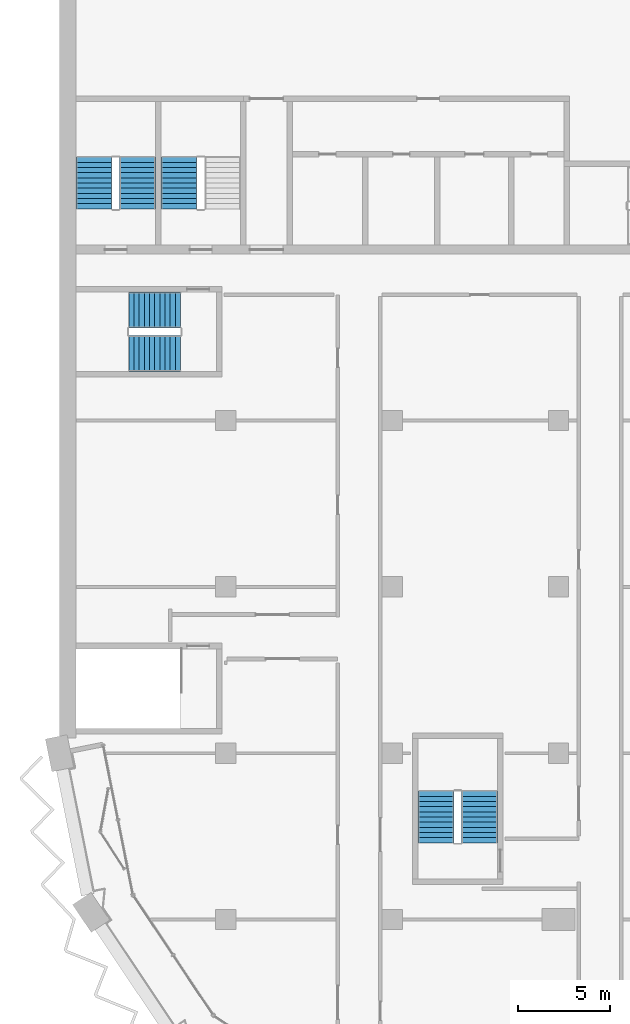
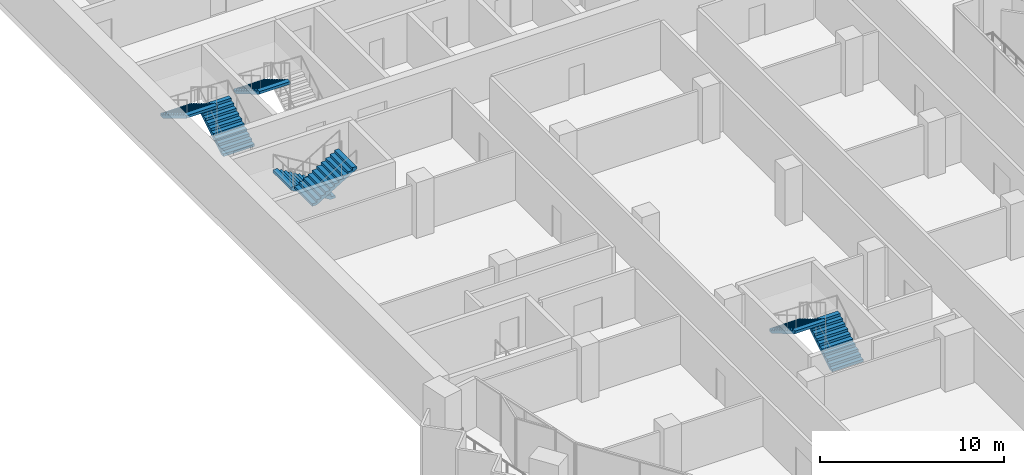
# One storey, part 13 of 18: 7 stair flights, 4 elements without a shape of their own.
"""IFC4 building model written with IfcOpenShell, lengths in metres."""

from ifc_helpers import new_model, si_unit, direction, frame, origin, place, context, subcontext, project, spatial, polyline, outline, extrude, material, type_object, element, aggregate, save


model = new_model("IFC4")

# Units and contexts
model_context = context("Model", 3, precision=1e-05, world=origin(), true_north=direction((0.0, 1.0)))
body_context = subcontext(model_context, "Body", "Model", "MODEL_VIEW")
ifc_project = project(units=[si_unit("LENGTHUNIT", "METRE"), si_unit("AREAUNIT", "SQUARE_METRE"), si_unit("VOLUMEUNIT", "CUBIC_METRE"), si_unit("PLANEANGLEUNIT", "RADIAN"), si_unit("MASSUNIT", "GRAM", prefix="KILO")], contexts=[model_context])

# Site, building, storey
site_placement = place(None, origin())
site = spatial("IfcSite", under=ifc_project, at=site_placement, CompositionType="ELEMENT")
building_placement = place(site_placement, origin())
building = spatial("IfcBuilding", under=site, at=building_placement, Name="Hunhe Ridgeline Campus", CompositionType="ELEMENT")
storey_placement = place(building_placement, frame((0.0, 0.0, 223.5)))
storey = spatial("IfcBuildingStorey", under=building, at=storey_placement, Name="L57", CompositionType="ELEMENT", Elevation=223.5)

# Stair, stair flights
ifc_material = material(Name="Concrete C40", Category="concrete")
stair_type = type_object("IfcStairType", Name="Reinforced concrete dog-leg stair 1950 Concrete C40", PredefinedType="HALF_TURN_STAIR", material=ifc_material)
stair_1_placement = place(storey_placement, origin())
stair_1 = element("IfcStair", 1, at=stair_1_placement, inside=storey, type_object=stair_type, Name="L57 S3", PredefinedType="HALF_TURN_STAIR")
stair_flight_type = type_object("IfcStairFlightType", Name="Reinforced concrete stair flight 1950 Concrete C40", PredefinedType="STRAIGHT", material=ifc_material)
stair_flight_1_placement = place(storey_placement, frame((4.22509765625, 65.449951171875, 0.0), z_axis=(0.0, 0.0, 1.0), x_axis=(0.0, 1.0, 0.0)))
stair_flight_1 = element("IfcStairFlight", 2, at=stair_flight_1_placement, type_object=stair_flight_type, Name="ST3 flight 1", NumberOfRisers=11, NumberOfTreads=10, PredefinedType="STRAIGHT", RiserHeight=0.168181818, TreadLength=0.28, context=body_context, shape_type="SweptSolid", body=[
    extrude(outline(polyline([(0.0, 0.0), (0.0, 0.168212890625), (0.280029296875, 0.168212890625), (0.280029296875, 0.33642578125), (0.56005859375, 0.33642578125), (0.56005859375, 0.504638671875), (0.840087890625, 0.504638671875), (0.840087890625, 0.672607421875), (1.1201171875, 0.672607421875), (1.1201171875, 0.8408203125), (1.39990234375, 0.8408203125), (1.39990234375, 1.009033203125), (1.679931640625, 1.009033203125), (1.679931640625, 1.17724609375), (1.9599609375, 1.17724609375), (1.9599609375, 1.345458984375), (2.239990234375, 1.345458984375), (2.239990234375, 1.513671875), (2.52001953125, 1.513671875), (2.52001953125, 1.681884765625), (2.800048828125, 1.681884765625), (2.800048828125, 1.85009765625), (2.800048828125, 1.5068359375), (0.291015625, 0.0), (0.0, 0.0)])), frame((0.0, 0.97509765625, 0.0), z_axis=(0.0, -1.0, 0.0), x_axis=(1.0, 0.0, 0.0)), (0.0, 0.0, 1.0), 1.949951171875),
    extrude(outline(polyline([(0.030029296875, 0.030029296875), (0.030029296875, 0.13818359375), (0.31005859375, 0.13818359375), (0.31005859375, 0.306396484375), (0.590087890625, 0.306396484375), (0.590087890625, 0.474609375), (0.8701171875, 0.474609375), (0.8701171875, 0.642578125), (1.14990234375, 0.642578125), (1.14990234375, 0.810791015625), (1.429931640625, 0.810791015625), (1.429931640625, 0.97900390625), (1.7099609375, 0.97900390625), (1.7099609375, 1.147216796875), (1.989990234375, 1.147216796875), (1.989990234375, 1.3154296875), (2.27001953125, 1.3154296875), (2.27001953125, 1.483642578125), (2.550048828125, 1.483642578125), (2.550048828125, 1.65185546875), (2.77001953125, 1.65185546875), (2.77001953125, 1.52392578125), (0.28271484375, 0.030029296875), (0.030029296875, 0.030029296875)])), frame((0.0, -0.070068359375, 0.0), z_axis=(0.0, -1.0, 0.0), x_axis=(1.0, 0.0, 0.0)), (0.0, 0.0, 1.0), 0.019775390625),
    extrude(outline(polyline([(0.030029296875, 0.030029296875), (0.030029296875, 0.13818359375), (0.31005859375, 0.13818359375), (0.31005859375, 0.306396484375), (0.590087890625, 0.306396484375), (0.590087890625, 0.474609375), (0.8701171875, 0.474609375), (0.8701171875, 0.642578125), (1.14990234375, 0.642578125), (1.14990234375, 0.810791015625), (1.429931640625, 0.810791015625), (1.429931640625, 0.97900390625), (1.7099609375, 0.97900390625), (1.7099609375, 1.147216796875), (1.989990234375, 1.147216796875), (1.989990234375, 1.3154296875), (2.27001953125, 1.3154296875), (2.27001953125, 1.483642578125), (2.550048828125, 1.483642578125), (2.550048828125, 1.65185546875), (2.77001953125, 1.65185546875), (2.77001953125, 1.52392578125), (0.28271484375, 0.030029296875), (0.030029296875, 0.030029296875)])), frame((0.0, 0.010009765625, 0.0), z_axis=(0.0, -1.0, 0.0), x_axis=(1.0, 0.0, 0.0)), (0.0, 0.0, 1.0), 0.019775390625),
    extrude(outline(polyline([(0.030029296875, 0.030029296875), (0.030029296875, 0.13818359375), (0.31005859375, 0.13818359375), (0.31005859375, 0.306396484375), (0.590087890625, 0.306396484375), (0.590087890625, 0.474609375), (0.8701171875, 0.474609375), (0.8701171875, 0.642578125), (1.14990234375, 0.642578125), (1.14990234375, 0.810791015625), (1.429931640625, 0.810791015625), (1.429931640625, 0.97900390625), (1.7099609375, 0.97900390625), (1.7099609375, 1.147216796875), (1.989990234375, 1.147216796875), (1.989990234375, 1.3154296875), (2.27001953125, 1.3154296875), (2.27001953125, 1.483642578125), (2.550048828125, 1.483642578125), (2.550048828125, 1.65185546875), (2.77001953125, 1.65185546875), (2.77001953125, 1.52392578125), (0.28271484375, 0.030029296875), (0.030029296875, 0.030029296875)])), frame((0.0, 0.090087890625, 0.0), z_axis=(0.0, -1.0, 0.0), x_axis=(1.0, 0.0, 0.0)), (0.0, 0.0, 1.0), 0.019775390625),
])
stair_flight_2_placement = place(storey_placement, frame((1.875, 68.25, 1.85009765625), z_axis=(0.0, 0.0, 1.0), x_axis=(0.0, -1.0, 0.0)))
stair_flight_2 = element("IfcStairFlight", 3, at=stair_flight_2_placement, type_object=stair_flight_type, Name="ST3 flight 2", NumberOfRisers=11, NumberOfTreads=10, PredefinedType="STRAIGHT", RiserHeight=0.168181818, TreadLength=0.28, context=body_context, shape_type="SweptSolid", body=[
    extrude(outline(polyline([(0.0, 0.0), (0.0, 0.168212890625), (0.280029296875, 0.168212890625), (0.280029296875, 0.33642578125), (0.56005859375, 0.33642578125), (0.56005859375, 0.504638671875), (0.840087890625, 0.504638671875), (0.840087890625, 0.672607421875), (1.1201171875, 0.672607421875), (1.1201171875, 0.8408203125), (1.39990234375, 0.8408203125), (1.39990234375, 1.009033203125), (1.679931640625, 1.009033203125), (1.679931640625, 1.17724609375), (1.9599609375, 1.17724609375), (1.9599609375, 1.345458984375), (2.239990234375, 1.345458984375), (2.239990234375, 1.513671875), (2.52001953125, 1.513671875), (2.52001953125, 1.681884765625), (2.800048828125, 1.681884765625), (2.800048828125, 1.85009765625), (2.800048828125, 1.5068359375), (0.291015625, 0.0), (0.0, 0.0)])), frame((0.0, 0.97509765625, 0.0), z_axis=(0.0, -1.0, 0.0), x_axis=(1.0, 0.0, 0.0)), (0.0, 0.0, 1.0), 1.949951171875),
    extrude(outline(polyline([(0.030029296875, 0.030029296875), (0.030029296875, 0.13818359375), (0.31005859375, 0.13818359375), (0.31005859375, 0.306396484375), (0.590087890625, 0.306396484375), (0.590087890625, 0.474609375), (0.8701171875, 0.474609375), (0.8701171875, 0.642578125), (1.14990234375, 0.642578125), (1.14990234375, 0.810791015625), (1.429931640625, 0.810791015625), (1.429931640625, 0.97900390625), (1.7099609375, 0.97900390625), (1.7099609375, 1.147216796875), (1.989990234375, 1.147216796875), (1.989990234375, 1.3154296875), (2.27001953125, 1.3154296875), (2.27001953125, 1.483642578125), (2.550048828125, 1.483642578125), (2.550048828125, 1.65185546875), (2.77001953125, 1.65185546875), (2.77001953125, 1.52392578125), (0.28271484375, 0.030029296875), (0.030029296875, 0.030029296875)])), frame((0.0, -0.070068359375, 0.0), z_axis=(0.0, -1.0, 0.0), x_axis=(1.0, 0.0, 0.0)), (0.0, 0.0, 1.0), 0.019775390625),
    extrude(outline(polyline([(0.030029296875, 0.030029296875), (0.030029296875, 0.13818359375), (0.31005859375, 0.13818359375), (0.31005859375, 0.306396484375), (0.590087890625, 0.306396484375), (0.590087890625, 0.474609375), (0.8701171875, 0.474609375), (0.8701171875, 0.642578125), (1.14990234375, 0.642578125), (1.14990234375, 0.810791015625), (1.429931640625, 0.810791015625), (1.429931640625, 0.97900390625), (1.7099609375, 0.97900390625), (1.7099609375, 1.147216796875), (1.989990234375, 1.147216796875), (1.989990234375, 1.3154296875), (2.27001953125, 1.3154296875), (2.27001953125, 1.483642578125), (2.550048828125, 1.483642578125), (2.550048828125, 1.65185546875), (2.77001953125, 1.65185546875), (2.77001953125, 1.52392578125), (0.28271484375, 0.030029296875), (0.030029296875, 0.030029296875)])), frame((0.0, 0.010009765625, 0.0), z_axis=(0.0, -1.0, 0.0), x_axis=(1.0, 0.0, 0.0)), (0.0, 0.0, 1.0), 0.019775390625),
    extrude(outline(polyline([(0.030029296875, 0.030029296875), (0.030029296875, 0.13818359375), (0.31005859375, 0.13818359375), (0.31005859375, 0.306396484375), (0.590087890625, 0.306396484375), (0.590087890625, 0.474609375), (0.8701171875, 0.474609375), (0.8701171875, 0.642578125), (1.14990234375, 0.642578125), (1.14990234375, 0.810791015625), (1.429931640625, 0.810791015625), (1.429931640625, 0.97900390625), (1.7099609375, 0.97900390625), (1.7099609375, 1.147216796875), (1.989990234375, 1.147216796875), (1.989990234375, 1.3154296875), (2.27001953125, 1.3154296875), (2.27001953125, 1.483642578125), (2.550048828125, 1.483642578125), (2.550048828125, 1.65185546875), (2.77001953125, 1.65185546875), (2.77001953125, 1.52392578125), (0.28271484375, 0.030029296875), (0.030029296875, 0.030029296875)])), frame((0.0, 0.090087890625, 0.0), z_axis=(0.0, -1.0, 0.0), x_axis=(1.0, 0.0, 0.0)), (0.0, 0.0, 1.0), 0.019775390625),
])
aggregate(stair_1, [stair_flight_1, stair_flight_2])

# Stair, stair flight
stair_2_placement = place(storey_placement, origin())
stair_2 = element("IfcStair", 4, at=stair_2_placement, inside=storey, type_object=stair_type, Name="L57 S4", PredefinedType="HALF_TURN_STAIR")
stair_flight_3_placement = place(storey_placement, frame((6.47509765625, 68.25, 1.85009765625), z_axis=(0.0, 0.0, 1.0), x_axis=(0.0, -1.0, 0.0)))
stair_flight_3 = element("IfcStairFlight", 5, at=stair_flight_3_placement, type_object=stair_flight_type, Name="ST4 flight 2", NumberOfRisers=11, NumberOfTreads=10, PredefinedType="STRAIGHT", RiserHeight=0.168181818, TreadLength=0.28, context=body_context, shape_type="SweptSolid", body=[
    extrude(outline(polyline([(0.0, 0.0), (0.0, 0.168212890625), (0.280029296875, 0.168212890625), (0.280029296875, 0.33642578125), (0.56005859375, 0.33642578125), (0.56005859375, 0.504638671875), (0.840087890625, 0.504638671875), (0.840087890625, 0.672607421875), (1.1201171875, 0.672607421875), (1.1201171875, 0.8408203125), (1.39990234375, 0.8408203125), (1.39990234375, 1.009033203125), (1.679931640625, 1.009033203125), (1.679931640625, 1.17724609375), (1.9599609375, 1.17724609375), (1.9599609375, 1.345458984375), (2.239990234375, 1.345458984375), (2.239990234375, 1.513671875), (2.52001953125, 1.513671875), (2.52001953125, 1.681884765625), (2.800048828125, 1.681884765625), (2.800048828125, 1.85009765625), (2.800048828125, 1.5068359375), (0.291015625, 0.0), (0.0, 0.0)])), frame((0.0, 0.97509765625, 0.0), z_axis=(0.0, -1.0, 0.0), x_axis=(1.0, 0.0, 0.0)), (0.0, 0.0, 1.0), 1.949951171875),
    extrude(outline(polyline([(0.030029296875, 0.030029296875), (0.030029296875, 0.13818359375), (0.31005859375, 0.13818359375), (0.31005859375, 0.306396484375), (0.590087890625, 0.306396484375), (0.590087890625, 0.474609375), (0.8701171875, 0.474609375), (0.8701171875, 0.642578125), (1.14990234375, 0.642578125), (1.14990234375, 0.810791015625), (1.429931640625, 0.810791015625), (1.429931640625, 0.97900390625), (1.7099609375, 0.97900390625), (1.7099609375, 1.147216796875), (1.989990234375, 1.147216796875), (1.989990234375, 1.3154296875), (2.27001953125, 1.3154296875), (2.27001953125, 1.483642578125), (2.550048828125, 1.483642578125), (2.550048828125, 1.65185546875), (2.77001953125, 1.65185546875), (2.77001953125, 1.52392578125), (0.28271484375, 0.030029296875), (0.030029296875, 0.030029296875)])), frame((0.0, -0.070068359375, 0.0), z_axis=(0.0, -1.0, 0.0), x_axis=(1.0, 0.0, 0.0)), (0.0, 0.0, 1.0), 0.019775390625),
    extrude(outline(polyline([(0.030029296875, 0.030029296875), (0.030029296875, 0.13818359375), (0.31005859375, 0.13818359375), (0.31005859375, 0.306396484375), (0.590087890625, 0.306396484375), (0.590087890625, 0.474609375), (0.8701171875, 0.474609375), (0.8701171875, 0.642578125), (1.14990234375, 0.642578125), (1.14990234375, 0.810791015625), (1.429931640625, 0.810791015625), (1.429931640625, 0.97900390625), (1.7099609375, 0.97900390625), (1.7099609375, 1.147216796875), (1.989990234375, 1.147216796875), (1.989990234375, 1.3154296875), (2.27001953125, 1.3154296875), (2.27001953125, 1.483642578125), (2.550048828125, 1.483642578125), (2.550048828125, 1.65185546875), (2.77001953125, 1.65185546875), (2.77001953125, 1.52392578125), (0.28271484375, 0.030029296875), (0.030029296875, 0.030029296875)])), frame((0.0, 0.010009765625, 0.0), z_axis=(0.0, -1.0, 0.0), x_axis=(1.0, 0.0, 0.0)), (0.0, 0.0, 1.0), 0.019775390625),
    extrude(outline(polyline([(0.030029296875, 0.030029296875), (0.030029296875, 0.13818359375), (0.31005859375, 0.13818359375), (0.31005859375, 0.306396484375), (0.590087890625, 0.306396484375), (0.590087890625, 0.474609375), (0.8701171875, 0.474609375), (0.8701171875, 0.642578125), (1.14990234375, 0.642578125), (1.14990234375, 0.810791015625), (1.429931640625, 0.810791015625), (1.429931640625, 0.97900390625), (1.7099609375, 0.97900390625), (1.7099609375, 1.147216796875), (1.989990234375, 1.147216796875), (1.989990234375, 1.3154296875), (2.27001953125, 1.3154296875), (2.27001953125, 1.483642578125), (2.550048828125, 1.483642578125), (2.550048828125, 1.65185546875), (2.77001953125, 1.65185546875), (2.77001953125, 1.52392578125), (0.28271484375, 0.030029296875), (0.030029296875, 0.030029296875)])), frame((0.0, 0.090087890625, 0.0), z_axis=(0.0, -1.0, 0.0), x_axis=(1.0, 0.0, 0.0)), (0.0, 0.0, 1.0), 0.019775390625),
])
aggregate(stair_2, [stair_flight_3])

# Stair, stair flights
stair_3_placement = place(storey_placement, origin())
stair_3 = element("IfcStair", 6, at=stair_3_placement, inside=storey, type_object=stair_type, Name="L57 W3", PredefinedType="HALF_TURN_STAIR")
stair_flight_4_placement = place(storey_placement, frame((22.72509765625, 31.14990234375, 0.0), z_axis=(0.0, 0.0, 1.0), x_axis=(0.0, 1.0, 0.0)))
stair_flight_4 = element("IfcStairFlight", 7, at=stair_flight_4_placement, type_object=stair_flight_type, Name="ST9 flight 1", NumberOfRisers=11, NumberOfTreads=10, PredefinedType="STRAIGHT", RiserHeight=0.168181818, TreadLength=0.28, context=body_context, shape_type="SweptSolid", body=[
    extrude(outline(polyline([(0.0, 0.0), (0.0, 0.168212890625), (0.280029296875, 0.168212890625), (0.280029296875, 0.33642578125), (0.56005859375, 0.33642578125), (0.56005859375, 0.504638671875), (0.840087890625, 0.504638671875), (0.840087890625, 0.672607421875), (1.1201171875, 0.672607421875), (1.1201171875, 0.8408203125), (1.39990234375, 0.8408203125), (1.39990234375, 1.009033203125), (1.679931640625, 1.009033203125), (1.679931640625, 1.17724609375), (1.9599609375, 1.17724609375), (1.9599609375, 1.345458984375), (2.239990234375, 1.345458984375), (2.239990234375, 1.513671875), (2.52001953125, 1.513671875), (2.52001953125, 1.681884765625), (2.800048828125, 1.681884765625), (2.800048828125, 1.85009765625), (2.800048828125, 1.5068359375), (0.291015625, 0.0), (0.0, 0.0)])), frame((0.0, 0.97509765625, 0.0), z_axis=(0.0, -1.0, 0.0), x_axis=(1.0, 0.0, 0.0)), (0.0, 0.0, 1.0), 1.949951171875),
    extrude(outline(polyline([(0.030029296875, 0.030029296875), (0.030029296875, 0.13818359375), (0.31005859375, 0.13818359375), (0.31005859375, 0.306396484375), (0.590087890625, 0.306396484375), (0.590087890625, 0.474609375), (0.8701171875, 0.474609375), (0.8701171875, 0.642578125), (1.14990234375, 0.642578125), (1.14990234375, 0.810791015625), (1.429931640625, 0.810791015625), (1.429931640625, 0.97900390625), (1.7099609375, 0.97900390625), (1.7099609375, 1.147216796875), (1.989990234375, 1.147216796875), (1.989990234375, 1.3154296875), (2.27001953125, 1.3154296875), (2.27001953125, 1.483642578125), (2.550048828125, 1.483642578125), (2.550048828125, 1.65185546875), (2.77001953125, 1.65185546875), (2.77001953125, 1.52392578125), (0.28271484375, 0.030029296875), (0.030029296875, 0.030029296875)])), frame((0.0, -0.070068359375, 0.0), z_axis=(0.0, -1.0, 0.0), x_axis=(1.0, 0.0, 0.0)), (0.0, 0.0, 1.0), 0.019775390625),
    extrude(outline(polyline([(0.030029296875, 0.030029296875), (0.030029296875, 0.13818359375), (0.31005859375, 0.13818359375), (0.31005859375, 0.306396484375), (0.590087890625, 0.306396484375), (0.590087890625, 0.474609375), (0.8701171875, 0.474609375), (0.8701171875, 0.642578125), (1.14990234375, 0.642578125), (1.14990234375, 0.810791015625), (1.429931640625, 0.810791015625), (1.429931640625, 0.97900390625), (1.7099609375, 0.97900390625), (1.7099609375, 1.147216796875), (1.989990234375, 1.147216796875), (1.989990234375, 1.3154296875), (2.27001953125, 1.3154296875), (2.27001953125, 1.483642578125), (2.550048828125, 1.483642578125), (2.550048828125, 1.65185546875), (2.77001953125, 1.65185546875), (2.77001953125, 1.52392578125), (0.28271484375, 0.030029296875), (0.030029296875, 0.030029296875)])), frame((0.0, 0.010009765625, 0.0), z_axis=(0.0, -1.0, 0.0), x_axis=(1.0, 0.0, 0.0)), (0.0, 0.0, 1.0), 0.019775390625),
    extrude(outline(polyline([(0.030029296875, 0.030029296875), (0.030029296875, 0.13818359375), (0.31005859375, 0.13818359375), (0.31005859375, 0.306396484375), (0.590087890625, 0.306396484375), (0.590087890625, 0.474609375), (0.8701171875, 0.474609375), (0.8701171875, 0.642578125), (1.14990234375, 0.642578125), (1.14990234375, 0.810791015625), (1.429931640625, 0.810791015625), (1.429931640625, 0.97900390625), (1.7099609375, 0.97900390625), (1.7099609375, 1.147216796875), (1.989990234375, 1.147216796875), (1.989990234375, 1.3154296875), (2.27001953125, 1.3154296875), (2.27001953125, 1.483642578125), (2.550048828125, 1.483642578125), (2.550048828125, 1.65185546875), (2.77001953125, 1.65185546875), (2.77001953125, 1.52392578125), (0.28271484375, 0.030029296875), (0.030029296875, 0.030029296875)])), frame((0.0, 0.090087890625, 0.0), z_axis=(0.0, -1.0, 0.0), x_axis=(1.0, 0.0, 0.0)), (0.0, 0.0, 1.0), 0.019775390625),
])
stair_flight_5_placement = place(storey_placement, frame((20.375, 33.949951171875, 1.85009765625), z_axis=(0.0, 0.0, 1.0), x_axis=(0.0, -1.0, 0.0)))
stair_flight_5 = element("IfcStairFlight", 8, at=stair_flight_5_placement, type_object=stair_flight_type, Name="ST9 flight 2", NumberOfRisers=11, NumberOfTreads=10, PredefinedType="STRAIGHT", RiserHeight=0.168181818, TreadLength=0.28, context=body_context, shape_type="SweptSolid", body=[
    extrude(outline(polyline([(0.0, 0.0), (0.0, 0.168212890625), (0.280029296875, 0.168212890625), (0.280029296875, 0.33642578125), (0.56005859375, 0.33642578125), (0.56005859375, 0.504638671875), (0.840087890625, 0.504638671875), (0.840087890625, 0.672607421875), (1.1201171875, 0.672607421875), (1.1201171875, 0.8408203125), (1.39990234375, 0.8408203125), (1.39990234375, 1.009033203125), (1.679931640625, 1.009033203125), (1.679931640625, 1.17724609375), (1.9599609375, 1.17724609375), (1.9599609375, 1.345458984375), (2.239990234375, 1.345458984375), (2.239990234375, 1.513671875), (2.52001953125, 1.513671875), (2.52001953125, 1.681884765625), (2.800048828125, 1.681884765625), (2.800048828125, 1.85009765625), (2.800048828125, 1.5068359375), (0.291015625, 0.0), (0.0, 0.0)])), frame((0.0, 0.97509765625, 0.0), z_axis=(0.0, -1.0, 0.0), x_axis=(1.0, 0.0, 0.0)), (0.0, 0.0, 1.0), 1.949951171875),
    extrude(outline(polyline([(0.030029296875, 0.030029296875), (0.030029296875, 0.13818359375), (0.31005859375, 0.13818359375), (0.31005859375, 0.306396484375), (0.590087890625, 0.306396484375), (0.590087890625, 0.474609375), (0.8701171875, 0.474609375), (0.8701171875, 0.642578125), (1.14990234375, 0.642578125), (1.14990234375, 0.810791015625), (1.429931640625, 0.810791015625), (1.429931640625, 0.97900390625), (1.7099609375, 0.97900390625), (1.7099609375, 1.147216796875), (1.989990234375, 1.147216796875), (1.989990234375, 1.3154296875), (2.27001953125, 1.3154296875), (2.27001953125, 1.483642578125), (2.550048828125, 1.483642578125), (2.550048828125, 1.65185546875), (2.77001953125, 1.65185546875), (2.77001953125, 1.52392578125), (0.28271484375, 0.030029296875), (0.030029296875, 0.030029296875)])), frame((0.0, -0.070068359375, 0.0), z_axis=(0.0, -1.0, 0.0), x_axis=(1.0, 0.0, 0.0)), (0.0, 0.0, 1.0), 0.019775390625),
    extrude(outline(polyline([(0.030029296875, 0.030029296875), (0.030029296875, 0.13818359375), (0.31005859375, 0.13818359375), (0.31005859375, 0.306396484375), (0.590087890625, 0.306396484375), (0.590087890625, 0.474609375), (0.8701171875, 0.474609375), (0.8701171875, 0.642578125), (1.14990234375, 0.642578125), (1.14990234375, 0.810791015625), (1.429931640625, 0.810791015625), (1.429931640625, 0.97900390625), (1.7099609375, 0.97900390625), (1.7099609375, 1.147216796875), (1.989990234375, 1.147216796875), (1.989990234375, 1.3154296875), (2.27001953125, 1.3154296875), (2.27001953125, 1.483642578125), (2.550048828125, 1.483642578125), (2.550048828125, 1.65185546875), (2.77001953125, 1.65185546875), (2.77001953125, 1.52392578125), (0.28271484375, 0.030029296875), (0.030029296875, 0.030029296875)])), frame((0.0, 0.010009765625, 0.0), z_axis=(0.0, -1.0, 0.0), x_axis=(1.0, 0.0, 0.0)), (0.0, 0.0, 1.0), 0.019775390625),
    extrude(outline(polyline([(0.030029296875, 0.030029296875), (0.030029296875, 0.13818359375), (0.31005859375, 0.13818359375), (0.31005859375, 0.306396484375), (0.590087890625, 0.306396484375), (0.590087890625, 0.474609375), (0.8701171875, 0.474609375), (0.8701171875, 0.642578125), (1.14990234375, 0.642578125), (1.14990234375, 0.810791015625), (1.429931640625, 0.810791015625), (1.429931640625, 0.97900390625), (1.7099609375, 0.97900390625), (1.7099609375, 1.147216796875), (1.989990234375, 1.147216796875), (1.989990234375, 1.3154296875), (2.27001953125, 1.3154296875), (2.27001953125, 1.483642578125), (2.550048828125, 1.483642578125), (2.550048828125, 1.65185546875), (2.77001953125, 1.65185546875), (2.77001953125, 1.52392578125), (0.28271484375, 0.030029296875), (0.030029296875, 0.030029296875)])), frame((0.0, 0.090087890625, 0.0), z_axis=(0.0, -1.0, 0.0), x_axis=(1.0, 0.0, 0.0)), (0.0, 0.0, 1.0), 0.019775390625),
])
aggregate(stair_3, [stair_flight_4, stair_flight_5])

stair_4_placement = place(storey_placement, origin())
stair_4 = element("IfcStair", 9, at=stair_4_placement, inside=storey, type_object=stair_type, Name="L57 W2", PredefinedType="HALF_TURN_STAIR")
stair_flight_6_placement = place(storey_placement, frame((6.550048828125, 59.97509765625, 0.0), z_axis=(0.0, 0.0, 1.0), x_axis=(-1.0, 0.0, 0.0)))
stair_flight_6 = element("IfcStairFlight", 10, at=stair_flight_6_placement, type_object=stair_flight_type, Name="ST12 flight 1", NumberOfRisers=11, NumberOfTreads=10, PredefinedType="STRAIGHT", RiserHeight=0.168181818, TreadLength=0.28, context=body_context, shape_type="SweptSolid", body=[
    extrude(outline(polyline([(0.0, 0.0), (0.0, 0.168212890625), (0.280029296875, 0.168212890625), (0.280029296875, 0.33642578125), (0.56005859375, 0.33642578125), (0.56005859375, 0.504638671875), (0.840087890625, 0.504638671875), (0.840087890625, 0.672607421875), (1.1201171875, 0.672607421875), (1.1201171875, 0.8408203125), (1.39990234375, 0.8408203125), (1.39990234375, 1.009033203125), (1.679931640625, 1.009033203125), (1.679931640625, 1.17724609375), (1.9599609375, 1.17724609375), (1.9599609375, 1.345458984375), (2.239990234375, 1.345458984375), (2.239990234375, 1.513671875), (2.52001953125, 1.513671875), (2.52001953125, 1.681884765625), (2.800048828125, 1.681884765625), (2.800048828125, 1.85009765625), (2.800048828125, 1.5068359375), (0.291015625, 0.0), (0.0, 0.0)])), frame((0.0, 0.97509765625, 0.0), z_axis=(0.0, -1.0, 0.0), x_axis=(1.0, 0.0, 0.0)), (0.0, 0.0, 1.0), 1.949951171875),
    extrude(outline(polyline([(0.030029296875, 0.030029296875), (0.030029296875, 0.13818359375), (0.31005859375, 0.13818359375), (0.31005859375, 0.306396484375), (0.590087890625, 0.306396484375), (0.590087890625, 0.474609375), (0.8701171875, 0.474609375), (0.8701171875, 0.642578125), (1.14990234375, 0.642578125), (1.14990234375, 0.810791015625), (1.429931640625, 0.810791015625), (1.429931640625, 0.97900390625), (1.7099609375, 0.97900390625), (1.7099609375, 1.147216796875), (1.989990234375, 1.147216796875), (1.989990234375, 1.3154296875), (2.27001953125, 1.3154296875), (2.27001953125, 1.483642578125), (2.550048828125, 1.483642578125), (2.550048828125, 1.65185546875), (2.77001953125, 1.65185546875), (2.77001953125, 1.52392578125), (0.28271484375, 0.030029296875), (0.030029296875, 0.030029296875)])), frame((0.0, -0.070068359375, 0.0), z_axis=(0.0, -1.0, 0.0), x_axis=(1.0, 0.0, 0.0)), (0.0, 0.0, 1.0), 0.019775390625),
    extrude(outline(polyline([(0.030029296875, 0.030029296875), (0.030029296875, 0.13818359375), (0.31005859375, 0.13818359375), (0.31005859375, 0.306396484375), (0.590087890625, 0.306396484375), (0.590087890625, 0.474609375), (0.8701171875, 0.474609375), (0.8701171875, 0.642578125), (1.14990234375, 0.642578125), (1.14990234375, 0.810791015625), (1.429931640625, 0.810791015625), (1.429931640625, 0.97900390625), (1.7099609375, 0.97900390625), (1.7099609375, 1.147216796875), (1.989990234375, 1.147216796875), (1.989990234375, 1.3154296875), (2.27001953125, 1.3154296875), (2.27001953125, 1.483642578125), (2.550048828125, 1.483642578125), (2.550048828125, 1.65185546875), (2.77001953125, 1.65185546875), (2.77001953125, 1.52392578125), (0.28271484375, 0.030029296875), (0.030029296875, 0.030029296875)])), frame((0.0, 0.010009765625, 0.0), z_axis=(0.0, -1.0, 0.0), x_axis=(1.0, 0.0, 0.0)), (0.0, 0.0, 1.0), 0.019775390625),
    extrude(outline(polyline([(0.030029296875, 0.030029296875), (0.030029296875, 0.13818359375), (0.31005859375, 0.13818359375), (0.31005859375, 0.306396484375), (0.590087890625, 0.306396484375), (0.590087890625, 0.474609375), (0.8701171875, 0.474609375), (0.8701171875, 0.642578125), (1.14990234375, 0.642578125), (1.14990234375, 0.810791015625), (1.429931640625, 0.810791015625), (1.429931640625, 0.97900390625), (1.7099609375, 0.97900390625), (1.7099609375, 1.147216796875), (1.989990234375, 1.147216796875), (1.989990234375, 1.3154296875), (2.27001953125, 1.3154296875), (2.27001953125, 1.483642578125), (2.550048828125, 1.483642578125), (2.550048828125, 1.65185546875), (2.77001953125, 1.65185546875), (2.77001953125, 1.52392578125), (0.28271484375, 0.030029296875), (0.030029296875, 0.030029296875)])), frame((0.0, 0.090087890625, 0.0), z_axis=(0.0, -1.0, 0.0), x_axis=(1.0, 0.0, 0.0)), (0.0, 0.0, 1.0), 0.019775390625),
])
stair_flight_7_placement = place(storey_placement, frame((3.75, 57.625, 1.85009765625), z_axis=(0.0, 0.0, 1.0), x_axis=(1.0, 0.0, 0.0)))
stair_flight_7 = element("IfcStairFlight", 11, at=stair_flight_7_placement, type_object=stair_flight_type, Name="ST12 flight 2", NumberOfRisers=11, NumberOfTreads=10, PredefinedType="STRAIGHT", RiserHeight=0.168181818, TreadLength=0.28, context=body_context, shape_type="SweptSolid", body=[
    extrude(outline(polyline([(0.0, 0.0), (0.0, 0.168212890625), (0.280029296875, 0.168212890625), (0.280029296875, 0.33642578125), (0.56005859375, 0.33642578125), (0.56005859375, 0.504638671875), (0.840087890625, 0.504638671875), (0.840087890625, 0.672607421875), (1.1201171875, 0.672607421875), (1.1201171875, 0.8408203125), (1.39990234375, 0.8408203125), (1.39990234375, 1.009033203125), (1.679931640625, 1.009033203125), (1.679931640625, 1.17724609375), (1.9599609375, 1.17724609375), (1.9599609375, 1.345458984375), (2.239990234375, 1.345458984375), (2.239990234375, 1.513671875), (2.52001953125, 1.513671875), (2.52001953125, 1.681884765625), (2.800048828125, 1.681884765625), (2.800048828125, 1.85009765625), (2.800048828125, 1.5068359375), (0.291015625, 0.0), (0.0, 0.0)])), frame((0.0, 0.97509765625, 0.0), z_axis=(0.0, -1.0, 0.0), x_axis=(1.0, 0.0, 0.0)), (0.0, 0.0, 1.0), 1.949951171875),
    extrude(outline(polyline([(0.030029296875, 0.030029296875), (0.030029296875, 0.13818359375), (0.31005859375, 0.13818359375), (0.31005859375, 0.306396484375), (0.590087890625, 0.306396484375), (0.590087890625, 0.474609375), (0.8701171875, 0.474609375), (0.8701171875, 0.642578125), (1.14990234375, 0.642578125), (1.14990234375, 0.810791015625), (1.429931640625, 0.810791015625), (1.429931640625, 0.97900390625), (1.7099609375, 0.97900390625), (1.7099609375, 1.147216796875), (1.989990234375, 1.147216796875), (1.989990234375, 1.3154296875), (2.27001953125, 1.3154296875), (2.27001953125, 1.483642578125), (2.550048828125, 1.483642578125), (2.550048828125, 1.65185546875), (2.77001953125, 1.65185546875), (2.77001953125, 1.52392578125), (0.28271484375, 0.030029296875), (0.030029296875, 0.030029296875)])), frame((0.0, -0.070068359375, 0.0), z_axis=(0.0, -1.0, 0.0), x_axis=(1.0, 0.0, 0.0)), (0.0, 0.0, 1.0), 0.019775390625),
    extrude(outline(polyline([(0.030029296875, 0.030029296875), (0.030029296875, 0.13818359375), (0.31005859375, 0.13818359375), (0.31005859375, 0.306396484375), (0.590087890625, 0.306396484375), (0.590087890625, 0.474609375), (0.8701171875, 0.474609375), (0.8701171875, 0.642578125), (1.14990234375, 0.642578125), (1.14990234375, 0.810791015625), (1.429931640625, 0.810791015625), (1.429931640625, 0.97900390625), (1.7099609375, 0.97900390625), (1.7099609375, 1.147216796875), (1.989990234375, 1.147216796875), (1.989990234375, 1.3154296875), (2.27001953125, 1.3154296875), (2.27001953125, 1.483642578125), (2.550048828125, 1.483642578125), (2.550048828125, 1.65185546875), (2.77001953125, 1.65185546875), (2.77001953125, 1.52392578125), (0.28271484375, 0.030029296875), (0.030029296875, 0.030029296875)])), frame((0.0, 0.010009765625, 0.0), z_axis=(0.0, -1.0, 0.0), x_axis=(1.0, 0.0, 0.0)), (0.0, 0.0, 1.0), 0.019775390625),
    extrude(outline(polyline([(0.030029296875, 0.030029296875), (0.030029296875, 0.13818359375), (0.31005859375, 0.13818359375), (0.31005859375, 0.306396484375), (0.590087890625, 0.306396484375), (0.590087890625, 0.474609375), (0.8701171875, 0.474609375), (0.8701171875, 0.642578125), (1.14990234375, 0.642578125), (1.14990234375, 0.810791015625), (1.429931640625, 0.810791015625), (1.429931640625, 0.97900390625), (1.7099609375, 0.97900390625), (1.7099609375, 1.147216796875), (1.989990234375, 1.147216796875), (1.989990234375, 1.3154296875), (2.27001953125, 1.3154296875), (2.27001953125, 1.483642578125), (2.550048828125, 1.483642578125), (2.550048828125, 1.65185546875), (2.77001953125, 1.65185546875), (2.77001953125, 1.52392578125), (0.28271484375, 0.030029296875), (0.030029296875, 0.030029296875)])), frame((0.0, 0.090087890625, 0.0), z_axis=(0.0, -1.0, 0.0), x_axis=(1.0, 0.0, 0.0)), (0.0, 0.0, 1.0), 0.019775390625),
])
aggregate(stair_4, [stair_flight_6, stair_flight_7])

save(model, "model.ifc")
